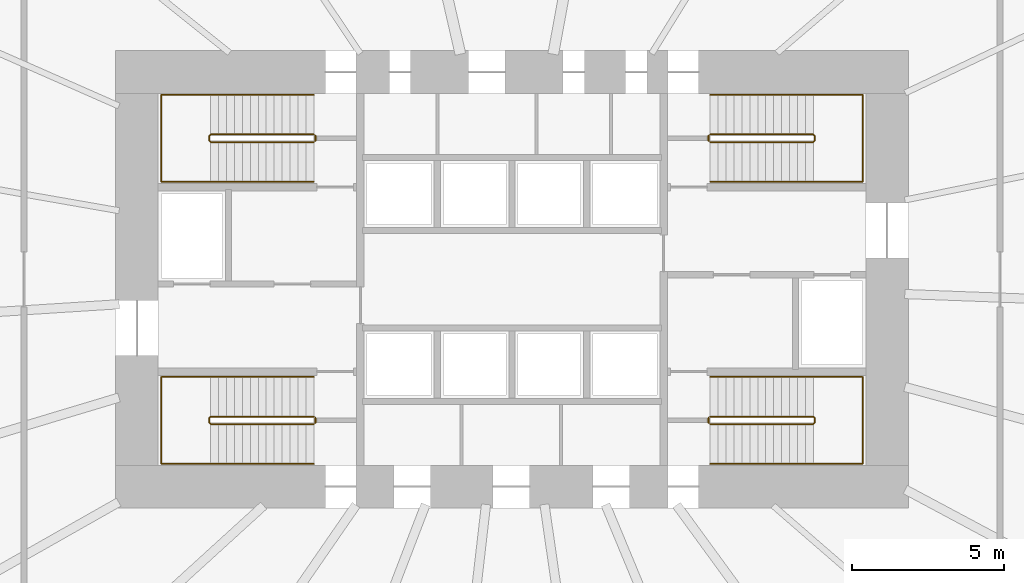
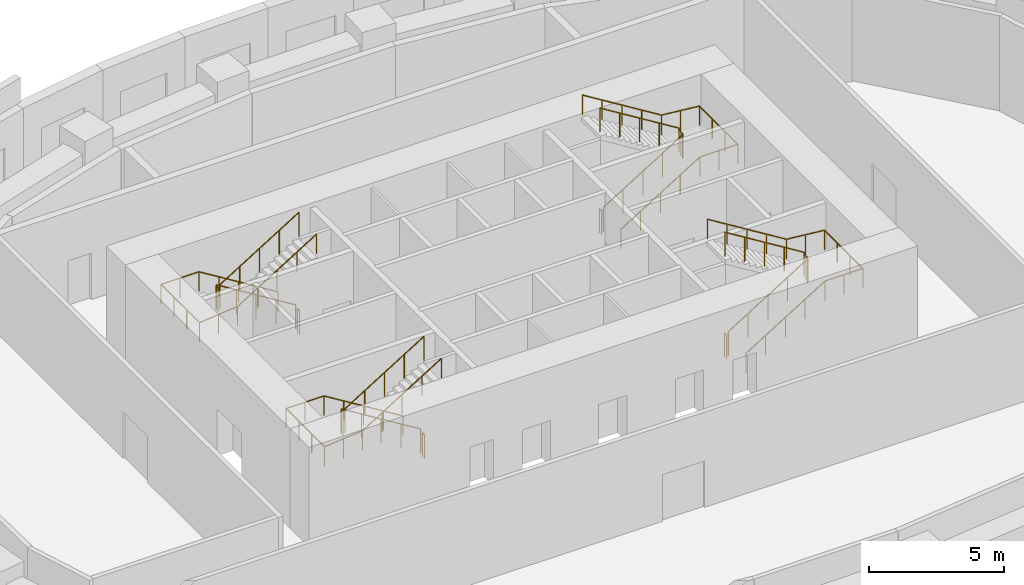
# One storey, part 9 of 9: 12 railings.
"""IFC4 building model written with IfcOpenShell, lengths in metres."""

from ifc_helpers import new_model, si_unit, direction, frame, origin, origin_2d, place, context, subcontext, project, spatial, circle, extrude, material, type_object, element, save


model = new_model("IFC4")

# Units and contexts
model_context = context("Model", 3, precision=1e-05, world=origin(), true_north=direction((0.0, 1.0)))
body_context = subcontext(model_context, "Body", "Model", "MODEL_VIEW")
ifc_project = project(units=[si_unit("LENGTHUNIT", "METRE"), si_unit("AREAUNIT", "SQUARE_METRE"), si_unit("VOLUMEUNIT", "CUBIC_METRE"), si_unit("PLANEANGLEUNIT", "RADIAN"), si_unit("MASSUNIT", "GRAM", prefix="KILO")], contexts=[model_context])

# Site, building, storey
site_placement = place(None, origin())
site = spatial("IfcSite", under=ifc_project, at=site_placement, CompositionType="ELEMENT")
building_placement = place(site_placement, origin())
building = spatial("IfcBuilding", under=site, at=building_placement, Name="Rubra Terraces Tower", CompositionType="ELEMENT")
storey_placement = place(building_placement, frame((0.0, 0.0, 33.0)))
storey = spatial("IfcBuildingStorey", under=building, at=storey_placement, Name="L05", CompositionType="ELEMENT", Elevation=33.0)

# Railings
ifc_material = material(Name="Stainless steel", Category="steel")
railing_type_1 = type_object("IfcRailingType", Name="Core stair guard 1100", PredefinedType="GUARDRAIL", material=ifc_material)
railing_1_placement = place(storey_placement, frame((-6.5, 0.0, 0.16064453125)))
element("IfcRailing", 1, at=railing_1_placement, inside=storey, type_object=railing_type_1, Name="L05 stair S1 guard 1", PredefinedType="GUARDRAIL", context=body_context, shape_type="SweptSolid", body=[
    extrude(circle(Radius=0.02392578125, at=origin_2d()), frame((0.0, 0.0, 1.076171875), z_axis=(-0.8505975674, 0.0, 0.525817248036), x_axis=(0.0, -1.0, 0.0)), (0.0, 0.0, 1.0), 3.9736328125),
    extrude(circle(Radius=0.02392578125, at=origin_2d()), frame((-3.3798828125, 0.0, 3.16552734375), z_axis=(-0.707106781187, -0.707106781187, 0.0), x_axis=(0.707106781187, -0.707106781187, 0.0)), (0.0, 0.0, 1.0), 0.07080078125),
    extrude(circle(Radius=0.02392578125, at=origin_2d()), frame((-3.429931640625, -0.050048828125, 3.16552734375), z_axis=(0.0, -1.0, 0.0), x_axis=(1.0, 0.0, 0.0)), (0.0, 0.0, 1.0), 0.14990234375),
    extrude(circle(Radius=0.02392578125, at=origin_2d()), frame((-3.429931640625, -0.199951171875, 3.16552734375), z_axis=(0.285103605394, -0.285103605394, 0.91511303585), x_axis=(0.707106781187, 0.707106781187, 0.0)), (0.0, 0.0, 1.0), 0.175537109375),
    extrude(circle(Radius=0.02392578125, at=origin_2d()), frame((-3.3798828125, -0.25, 3.326171875), z_axis=(0.8505975674, 0.0, 0.525817248036), x_axis=(0.0, 1.0, 0.0)), (0.0, 0.0, 1.0), 3.9736328125),
    extrude(circle(Radius=0.02099609375, at=origin_2d()), origin(), (0.0, 0.0, 1.0), 1.052001953125),
    extrude(circle(Radius=0.02099609375, at=origin_2d()), frame((-0.844970703125, 0.0, 0.5224609375)), (0.0, 0.0, 1.0), 1.052001953125),
    extrude(circle(Radius=0.02099609375, at=origin_2d()), frame((-1.68994140625, 0.0, 1.044677734375)), (0.0, 0.0, 1.0), 1.052001953125),
    extrude(circle(Radius=0.02099609375, at=origin_2d()), frame((-2.534912109375, 0.0, 1.56689453125)), (0.0, 0.0, 1.0), 1.052001953125),
    extrude(circle(Radius=0.02099609375, at=origin_2d()), frame((-3.3798828125, 0.0, 2.08935546875)), (0.0, 0.0, 1.0), 1.052001953125),
    extrude(circle(Radius=0.02099609375, at=origin_2d()), frame((-3.429931640625, -0.050048828125, 2.08935546875)), (0.0, 0.0, 1.0), 1.052001953125),
    extrude(circle(Radius=0.02099609375, at=origin_2d()), frame((-3.429931640625, -0.199951171875, 2.08935546875)), (0.0, 0.0, 1.0), 1.052001953125),
    extrude(circle(Radius=0.02099609375, at=origin_2d()), frame((-3.3798828125, -0.25, 2.25)), (0.0, 0.0, 1.0), 1.052001953125),
    extrude(circle(Radius=0.02099609375, at=origin_2d()), frame((-2.534912109375, -0.25, 2.7724609375)), (0.0, 0.0, 1.0), 1.052001953125),
    extrude(circle(Radius=0.02099609375, at=origin_2d()), frame((-1.68994140625, -0.25, 3.294677734375)), (0.0, 0.0, 1.0), 1.052001953125),
    extrude(circle(Radius=0.02099609375, at=origin_2d()), frame((-0.844970703125, -0.25, 3.81689453125)), (0.0, 0.0, 1.0), 1.052001953125),
    extrude(circle(Radius=0.02099609375, at=origin_2d()), frame((0.0, -0.25, 4.33935546875)), (0.0, 0.0, 1.0), 1.052001953125),
])
railing_2_placement = place(storey_placement, frame((-6.449951171875, -0.050048828125, 0.0)))
element("IfcRailing", 2, at=railing_2_placement, inside=storey, type_object=railing_type_1, Name="L05 stair S1 guard 2", PredefinedType="GUARDRAIL", context=body_context, shape_type="SweptSolid", body=[
    extrude(circle(Radius=0.02392578125, at=origin_2d()), frame((0.0, 0.0, 1.076171875), z_axis=(0.0, -1.0, 0.0), x_axis=(1.0, 0.0, 0.0)), (0.0, 0.0, 1.0), 0.14990234375),
    extrude(circle(Radius=0.02099609375, at=origin_2d()), origin(), (0.0, 0.0, 1.0), 1.052001953125),
    extrude(circle(Radius=0.02099609375, at=origin_2d()), frame((0.0, -0.14990234375, 0.0)), (0.0, 0.0, 1.0), 1.052001953125),
])
railing_3_placement = place(storey_placement, frame((-6.5, 9.25, 0.16064453125)))
element("IfcRailing", 3, at=railing_3_placement, inside=storey, type_object=railing_type_1, Name="L05 stair S2 guard 1", PredefinedType="GUARDRAIL", context=body_context, shape_type="SweptSolid", body=[
    extrude(circle(Radius=0.02392578125, at=origin_2d()), frame((0.0, 0.0, 1.076171875), z_axis=(-0.8505975674, 0.0, 0.525817248036), x_axis=(0.0, -1.0, 0.0)), (0.0, 0.0, 1.0), 3.9736328125),
    extrude(circle(Radius=0.02392578125, at=origin_2d()), frame((-3.3798828125, 0.0, 3.16552734375), z_axis=(-0.707106781187, -0.707106781187, 0.0), x_axis=(0.707106781187, -0.707106781187, 0.0)), (0.0, 0.0, 1.0), 0.07080078125),
    extrude(circle(Radius=0.02392578125, at=origin_2d()), frame((-3.429931640625, -0.050048828125, 3.16552734375), z_axis=(0.0, -1.0, 0.0), x_axis=(1.0, 0.0, 0.0)), (0.0, 0.0, 1.0), 0.14990234375),
    extrude(circle(Radius=0.02392578125, at=origin_2d()), frame((-3.429931640625, -0.199951171875, 3.16552734375), z_axis=(0.285103605394, -0.285103605394, 0.91511303585), x_axis=(0.707106781187, 0.707106781187, 0.0)), (0.0, 0.0, 1.0), 0.175537109375),
    extrude(circle(Radius=0.02392578125, at=origin_2d()), frame((-3.3798828125, -0.25, 3.326171875), z_axis=(0.8505975674, 0.0, 0.525817248036), x_axis=(0.0, 1.0, 0.0)), (0.0, 0.0, 1.0), 3.9736328125),
    extrude(circle(Radius=0.02099609375, at=origin_2d()), origin(), (0.0, 0.0, 1.0), 1.052001953125),
    extrude(circle(Radius=0.02099609375, at=origin_2d()), frame((-0.844970703125, 0.0, 0.5224609375)), (0.0, 0.0, 1.0), 1.052001953125),
    extrude(circle(Radius=0.02099609375, at=origin_2d()), frame((-1.68994140625, 0.0, 1.044677734375)), (0.0, 0.0, 1.0), 1.052001953125),
    extrude(circle(Radius=0.02099609375, at=origin_2d()), frame((-2.534912109375, 0.0, 1.56689453125)), (0.0, 0.0, 1.0), 1.052001953125),
    extrude(circle(Radius=0.02099609375, at=origin_2d()), frame((-3.3798828125, 0.0, 2.08935546875)), (0.0, 0.0, 1.0), 1.052001953125),
    extrude(circle(Radius=0.02099609375, at=origin_2d()), frame((-3.429931640625, -0.050048828125, 2.08935546875)), (0.0, 0.0, 1.0), 1.052001953125),
    extrude(circle(Radius=0.02099609375, at=origin_2d()), frame((-3.429931640625, -0.199951171875, 2.08935546875)), (0.0, 0.0, 1.0), 1.052001953125),
    extrude(circle(Radius=0.02099609375, at=origin_2d()), frame((-3.3798828125, -0.25, 2.25)), (0.0, 0.0, 1.0), 1.052001953125),
    extrude(circle(Radius=0.02099609375, at=origin_2d()), frame((-2.534912109375, -0.25, 2.7724609375)), (0.0, 0.0, 1.0), 1.052001953125),
    extrude(circle(Radius=0.02099609375, at=origin_2d()), frame((-1.68994140625, -0.25, 3.294677734375)), (0.0, 0.0, 1.0), 1.052001953125),
    extrude(circle(Radius=0.02099609375, at=origin_2d()), frame((-0.844970703125, -0.25, 3.81689453125)), (0.0, 0.0, 1.0), 1.052001953125),
    extrude(circle(Radius=0.02099609375, at=origin_2d()), frame((0.0, -0.25, 4.33935546875)), (0.0, 0.0, 1.0), 1.052001953125),
])
railing_4_placement = place(storey_placement, frame((-6.449951171875, 9.199951171875, 0.0)))
element("IfcRailing", 4, at=railing_4_placement, inside=storey, type_object=railing_type_1, Name="L05 stair S2 guard 2", PredefinedType="GUARDRAIL", context=body_context, shape_type="SweptSolid", body=[
    extrude(circle(Radius=0.02392578125, at=origin_2d()), frame((0.0, 0.0, 1.076171875), z_axis=(0.0, -1.0, 0.0), x_axis=(1.0, 0.0, 0.0)), (0.0, 0.0, 1.0), 0.14990234375),
    extrude(circle(Radius=0.02099609375, at=origin_2d()), origin(), (0.0, 0.0, 1.0), 1.052001953125),
    extrude(circle(Radius=0.02099609375, at=origin_2d()), frame((0.0, -0.14990234375, 0.0)), (0.0, 0.0, 1.0), 1.052001953125),
])
railing_5_placement = place(storey_placement, frame((6.5, 9.0, 0.16064453125)))
element("IfcRailing", 5, at=railing_5_placement, inside=storey, type_object=railing_type_1, Name="L05 stair S3 guard 1", PredefinedType="GUARDRAIL", context=body_context, shape_type="SweptSolid", body=[
    extrude(circle(Radius=0.02392578125, at=origin_2d()), frame((0.0, 0.0, 1.076171875), z_axis=(0.8505975674, 0.0, 0.525817248036), x_axis=(0.0, 1.0, 0.0)), (0.0, 0.0, 1.0), 3.9736328125),
    extrude(circle(Radius=0.02392578125, at=origin_2d()), frame((3.3798828125, 0.0, 3.16552734375), z_axis=(0.707106781187, 0.707106781187, 0.0), x_axis=(-0.707106781187, 0.707106781187, 0.0)), (0.0, 0.0, 1.0), 0.07080078125),
    extrude(circle(Radius=0.02392578125, at=origin_2d()), frame((3.429931640625, 0.050048828125, 3.16552734375), z_axis=(0.0, 1.0, 0.0), x_axis=(-1.0, 0.0, 0.0)), (0.0, 0.0, 1.0), 0.14990234375),
    extrude(circle(Radius=0.02392578125, at=origin_2d()), frame((3.429931640625, 0.199951171875, 3.16552734375), z_axis=(-0.285103605394, 0.285103605394, 0.91511303585), x_axis=(-0.707106781187, -0.707106781187, 0.0)), (0.0, 0.0, 1.0), 0.175537109375),
    extrude(circle(Radius=0.02392578125, at=origin_2d()), frame((3.3798828125, 0.25, 3.326171875), z_axis=(-0.8505975674, 0.0, 0.525817248036), x_axis=(0.0, -1.0, 0.0)), (0.0, 0.0, 1.0), 3.9736328125),
    extrude(circle(Radius=0.02099609375, at=origin_2d()), origin(), (0.0, 0.0, 1.0), 1.052001953125),
    extrude(circle(Radius=0.02099609375, at=origin_2d()), frame((0.844970703125, 0.0, 0.5224609375)), (0.0, 0.0, 1.0), 1.052001953125),
    extrude(circle(Radius=0.02099609375, at=origin_2d()), frame((1.68994140625, 0.0, 1.044677734375)), (0.0, 0.0, 1.0), 1.052001953125),
    extrude(circle(Radius=0.02099609375, at=origin_2d()), frame((2.534912109375, 0.0, 1.56689453125)), (0.0, 0.0, 1.0), 1.052001953125),
    extrude(circle(Radius=0.02099609375, at=origin_2d()), frame((3.3798828125, 0.0, 2.08935546875)), (0.0, 0.0, 1.0), 1.052001953125),
    extrude(circle(Radius=0.02099609375, at=origin_2d()), frame((3.429931640625, 0.050048828125, 2.08935546875)), (0.0, 0.0, 1.0), 1.052001953125),
    extrude(circle(Radius=0.02099609375, at=origin_2d()), frame((3.429931640625, 0.199951171875, 2.08935546875)), (0.0, 0.0, 1.0), 1.052001953125),
    extrude(circle(Radius=0.02099609375, at=origin_2d()), frame((3.3798828125, 0.25, 2.25)), (0.0, 0.0, 1.0), 1.052001953125),
    extrude(circle(Radius=0.02099609375, at=origin_2d()), frame((2.534912109375, 0.25, 2.7724609375)), (0.0, 0.0, 1.0), 1.052001953125),
    extrude(circle(Radius=0.02099609375, at=origin_2d()), frame((1.68994140625, 0.25, 3.294677734375)), (0.0, 0.0, 1.0), 1.052001953125),
    extrude(circle(Radius=0.02099609375, at=origin_2d()), frame((0.844970703125, 0.25, 3.81689453125)), (0.0, 0.0, 1.0), 1.052001953125),
    extrude(circle(Radius=0.02099609375, at=origin_2d()), frame((0.0, 0.25, 4.33935546875)), (0.0, 0.0, 1.0), 1.052001953125),
])
railing_6_placement = place(storey_placement, frame((6.449951171875, 9.050048828125, 0.0)))
element("IfcRailing", 6, at=railing_6_placement, inside=storey, type_object=railing_type_1, Name="L05 stair S3 guard 2", PredefinedType="GUARDRAIL", context=body_context, shape_type="SweptSolid", body=[
    extrude(circle(Radius=0.02392578125, at=origin_2d()), frame((0.0, 0.0, 1.076171875), z_axis=(0.0, 1.0, 0.0), x_axis=(-1.0, 0.0, 0.0)), (0.0, 0.0, 1.0), 0.14990234375),
    extrude(circle(Radius=0.02099609375, at=origin_2d()), origin(), (0.0, 0.0, 1.0), 1.052001953125),
    extrude(circle(Radius=0.02099609375, at=origin_2d()), frame((0.0, 0.14990234375, 0.0)), (0.0, 0.0, 1.0), 1.052001953125),
])
railing_7_placement = place(storey_placement, frame((6.5, -0.25, 0.16064453125)))
element("IfcRailing", 7, at=railing_7_placement, inside=storey, type_object=railing_type_1, Name="L05 stair S4 guard 1", PredefinedType="GUARDRAIL", context=body_context, shape_type="SweptSolid", body=[
    extrude(circle(Radius=0.02392578125, at=origin_2d()), frame((0.0, 0.0, 1.076171875), z_axis=(0.8505975674, 0.0, 0.525817248036), x_axis=(0.0, 1.0, 0.0)), (0.0, 0.0, 1.0), 3.9736328125),
    extrude(circle(Radius=0.02392578125, at=origin_2d()), frame((3.3798828125, 0.0, 3.16552734375), z_axis=(0.707106781187, 0.707106781187, 0.0), x_axis=(-0.707106781187, 0.707106781187, 0.0)), (0.0, 0.0, 1.0), 0.07080078125),
    extrude(circle(Radius=0.02392578125, at=origin_2d()), frame((3.429931640625, 0.050048828125, 3.16552734375), z_axis=(0.0, 1.0, 0.0), x_axis=(-1.0, 0.0, 0.0)), (0.0, 0.0, 1.0), 0.14990234375),
    extrude(circle(Radius=0.02392578125, at=origin_2d()), frame((3.429931640625, 0.199951171875, 3.16552734375), z_axis=(-0.285103605394, 0.285103605394, 0.91511303585), x_axis=(-0.707106781187, -0.707106781187, 0.0)), (0.0, 0.0, 1.0), 0.175537109375),
    extrude(circle(Radius=0.02392578125, at=origin_2d()), frame((3.3798828125, 0.25, 3.326171875), z_axis=(-0.8505975674, 0.0, 0.525817248036), x_axis=(0.0, -1.0, 0.0)), (0.0, 0.0, 1.0), 3.9736328125),
    extrude(circle(Radius=0.02099609375, at=origin_2d()), origin(), (0.0, 0.0, 1.0), 1.052001953125),
    extrude(circle(Radius=0.02099609375, at=origin_2d()), frame((0.844970703125, 0.0, 0.5224609375)), (0.0, 0.0, 1.0), 1.052001953125),
    extrude(circle(Radius=0.02099609375, at=origin_2d()), frame((1.68994140625, 0.0, 1.044677734375)), (0.0, 0.0, 1.0), 1.052001953125),
    extrude(circle(Radius=0.02099609375, at=origin_2d()), frame((2.534912109375, 0.0, 1.56689453125)), (0.0, 0.0, 1.0), 1.052001953125),
    extrude(circle(Radius=0.02099609375, at=origin_2d()), frame((3.3798828125, 0.0, 2.08935546875)), (0.0, 0.0, 1.0), 1.052001953125),
    extrude(circle(Radius=0.02099609375, at=origin_2d()), frame((3.429931640625, 0.050048828125, 2.08935546875)), (0.0, 0.0, 1.0), 1.052001953125),
    extrude(circle(Radius=0.02099609375, at=origin_2d()), frame((3.429931640625, 0.199951171875, 2.08935546875)), (0.0, 0.0, 1.0), 1.052001953125),
    extrude(circle(Radius=0.02099609375, at=origin_2d()), frame((3.3798828125, 0.25, 2.25)), (0.0, 0.0, 1.0), 1.052001953125),
    extrude(circle(Radius=0.02099609375, at=origin_2d()), frame((2.534912109375, 0.25, 2.7724609375)), (0.0, 0.0, 1.0), 1.052001953125),
    extrude(circle(Radius=0.02099609375, at=origin_2d()), frame((1.68994140625, 0.25, 3.294677734375)), (0.0, 0.0, 1.0), 1.052001953125),
    extrude(circle(Radius=0.02099609375, at=origin_2d()), frame((0.844970703125, 0.25, 3.81689453125)), (0.0, 0.0, 1.0), 1.052001953125),
    extrude(circle(Radius=0.02099609375, at=origin_2d()), frame((0.0, 0.25, 4.33935546875)), (0.0, 0.0, 1.0), 1.052001953125),
])
railing_8_placement = place(storey_placement, frame((6.449951171875, -0.199951171875, 0.0)))
element("IfcRailing", 8, at=railing_8_placement, inside=storey, type_object=railing_type_1, Name="L05 stair S4 guard 2", PredefinedType="GUARDRAIL", context=body_context, shape_type="SweptSolid", body=[
    extrude(circle(Radius=0.02392578125, at=origin_2d()), frame((0.0, 0.0, 1.076171875), z_axis=(0.0, 1.0, 0.0), x_axis=(-1.0, 0.0, 0.0)), (0.0, 0.0, 1.0), 0.14990234375),
    extrude(circle(Radius=0.02099609375, at=origin_2d()), origin(), (0.0, 0.0, 1.0), 1.052001953125),
    extrude(circle(Radius=0.02099609375, at=origin_2d()), frame((0.0, 0.14990234375, 0.0)), (0.0, 0.0, 1.0), 1.052001953125),
])
railing_type_2 = type_object("IfcRailingType", Name="Core stair handrail 900", PredefinedType="HANDRAIL", material=ifc_material)
railing_9_placement = place(storey_placement, frame((-6.5, 1.300048828125, 0.16064453125)))
element("IfcRailing", 9, at=railing_9_placement, inside=storey, type_object=railing_type_2, Name="L05 stair S1 handrail 1", PredefinedType="HANDRAIL", context=body_context, shape_type="SweptSolid", body=[
    extrude(circle(Radius=0.02392578125, at=origin_2d()), frame((0.0, 0.0, 0.8759765625), z_axis=(-0.8505975674, 0.0, 0.525817248036), x_axis=(0.0, -1.0, 0.0)), (0.0, 0.0, 1.0), 3.9736328125),
    extrude(circle(Radius=0.02392578125, at=origin_2d()), frame((-3.3798828125, 0.0, 2.96533203125), z_axis=(-1.0, 0.0, 0.0), x_axis=(0.0, -1.0, 0.0)), (0.0, 0.0, 1.0), 1.6201171875),
    extrude(circle(Radius=0.02392578125, at=origin_2d()), frame((-5.0, 0.0, 2.96533203125), z_axis=(0.0, -1.0, 0.0), x_axis=(1.0, 0.0, 0.0)), (0.0, 0.0, 1.0), 2.85009765625),
    extrude(circle(Radius=0.02392578125, at=origin_2d()), frame((-5.0, -2.85009765625, 2.96533203125), z_axis=(0.995119987753, 0.0, 0.098672235073), x_axis=(0.0, 1.0, 0.0)), (0.0, 0.0, 1.0), 1.628173828125),
    extrude(circle(Radius=0.02392578125, at=origin_2d()), frame((-3.3798828125, -2.85009765625, 3.1259765625), z_axis=(0.8505975674, 0.0, 0.525817248036), x_axis=(0.0, 1.0, 0.0)), (0.0, 0.0, 1.0), 3.9736328125),
    extrude(circle(Radius=0.02099609375, at=origin_2d()), origin(), (0.0, 0.0, 1.0), 0.851806640625),
    extrude(circle(Radius=0.02099609375, at=origin_2d()), frame((-0.844970703125, 0.0, 0.5224609375)), (0.0, 0.0, 1.0), 0.851806640625),
    extrude(circle(Radius=0.02099609375, at=origin_2d()), frame((-1.68994140625, 0.0, 1.044677734375)), (0.0, 0.0, 1.0), 0.851806640625),
    extrude(circle(Radius=0.02099609375, at=origin_2d()), frame((-2.534912109375, 0.0, 1.56689453125)), (0.0, 0.0, 1.0), 0.851806640625),
    extrude(circle(Radius=0.02099609375, at=origin_2d()), frame((-3.3798828125, 0.0, 2.08935546875)), (0.0, 0.0, 1.0), 0.851806640625),
    extrude(circle(Radius=0.02099609375, at=origin_2d()), frame((-4.18994140625, 0.0, 2.08935546875)), (0.0, 0.0, 1.0), 0.851806640625),
    extrude(circle(Radius=0.02099609375, at=origin_2d()), frame((-5.0, 0.0, 2.08935546875)), (0.0, 0.0, 1.0), 0.851806640625),
    extrude(circle(Radius=0.02099609375, at=origin_2d()), frame((-5.0, -0.949951171875, 2.08935546875)), (0.0, 0.0, 1.0), 0.851806640625),
    extrude(circle(Radius=0.02099609375, at=origin_2d()), frame((-5.0, -1.900146484375, 2.08935546875)), (0.0, 0.0, 1.0), 0.851806640625),
    extrude(circle(Radius=0.02099609375, at=origin_2d()), frame((-5.0, -2.85009765625, 2.08935546875)), (0.0, 0.0, 1.0), 0.851806640625),
    extrude(circle(Radius=0.02099609375, at=origin_2d()), frame((-4.18994140625, -2.85009765625, 2.169677734375)), (0.0, 0.0, 1.0), 0.851806640625),
    extrude(circle(Radius=0.02099609375, at=origin_2d()), frame((-3.3798828125, -2.85009765625, 2.25)), (0.0, 0.0, 1.0), 0.851806640625),
    extrude(circle(Radius=0.02099609375, at=origin_2d()), frame((-2.534912109375, -2.85009765625, 2.7724609375)), (0.0, 0.0, 1.0), 0.851806640625),
    extrude(circle(Radius=0.02099609375, at=origin_2d()), frame((-1.68994140625, -2.85009765625, 3.294677734375)), (0.0, 0.0, 1.0), 0.851806640625),
    extrude(circle(Radius=0.02099609375, at=origin_2d()), frame((-0.844970703125, -2.85009765625, 3.81689453125)), (0.0, 0.0, 1.0), 0.851806640625),
    extrude(circle(Radius=0.02099609375, at=origin_2d()), frame((0.0, -2.85009765625, 4.33935546875)), (0.0, 0.0, 1.0), 0.851806640625),
])
railing_10_placement = place(storey_placement, frame((-6.5, 10.550048828125, 0.16064453125)))
element("IfcRailing", 10, at=railing_10_placement, inside=storey, type_object=railing_type_2, Name="L05 stair S2 handrail 1", PredefinedType="HANDRAIL", context=body_context, shape_type="SweptSolid", body=[
    extrude(circle(Radius=0.02392578125, at=origin_2d()), frame((0.0, 0.0, 0.8759765625), z_axis=(-0.8505975674, 0.0, 0.525817248036), x_axis=(0.0, -1.0, 0.0)), (0.0, 0.0, 1.0), 3.9736328125),
    extrude(circle(Radius=0.02392578125, at=origin_2d()), frame((-3.3798828125, 0.0, 2.96533203125), z_axis=(-1.0, 0.0, 0.0), x_axis=(0.0, -1.0, 0.0)), (0.0, 0.0, 1.0), 1.6201171875),
    extrude(circle(Radius=0.02392578125, at=origin_2d()), frame((-5.0, 0.0, 2.96533203125), z_axis=(0.0, -1.0, 0.0), x_axis=(1.0, 0.0, 0.0)), (0.0, 0.0, 1.0), 2.85009765625),
    extrude(circle(Radius=0.02392578125, at=origin_2d()), frame((-5.0, -2.85009765625, 2.96533203125), z_axis=(0.995119987753, 0.0, 0.098672235073), x_axis=(0.0, 1.0, 0.0)), (0.0, 0.0, 1.0), 1.628173828125),
    extrude(circle(Radius=0.02392578125, at=origin_2d()), frame((-3.3798828125, -2.85009765625, 3.1259765625), z_axis=(0.8505975674, 0.0, 0.525817248036), x_axis=(0.0, 1.0, 0.0)), (0.0, 0.0, 1.0), 3.9736328125),
    extrude(circle(Radius=0.02099609375, at=origin_2d()), origin(), (0.0, 0.0, 1.0), 0.851806640625),
    extrude(circle(Radius=0.02099609375, at=origin_2d()), frame((-0.844970703125, 0.0, 0.5224609375)), (0.0, 0.0, 1.0), 0.851806640625),
    extrude(circle(Radius=0.02099609375, at=origin_2d()), frame((-1.68994140625, 0.0, 1.044677734375)), (0.0, 0.0, 1.0), 0.851806640625),
    extrude(circle(Radius=0.02099609375, at=origin_2d()), frame((-2.534912109375, 0.0, 1.56689453125)), (0.0, 0.0, 1.0), 0.851806640625),
    extrude(circle(Radius=0.02099609375, at=origin_2d()), frame((-3.3798828125, 0.0, 2.08935546875)), (0.0, 0.0, 1.0), 0.851806640625),
    extrude(circle(Radius=0.02099609375, at=origin_2d()), frame((-4.18994140625, 0.0, 2.08935546875)), (0.0, 0.0, 1.0), 0.851806640625),
    extrude(circle(Radius=0.02099609375, at=origin_2d()), frame((-5.0, 0.0, 2.08935546875)), (0.0, 0.0, 1.0), 0.851806640625),
    extrude(circle(Radius=0.02099609375, at=origin_2d()), frame((-5.0, -0.949951171875, 2.08935546875)), (0.0, 0.0, 1.0), 0.851806640625),
    extrude(circle(Radius=0.02099609375, at=origin_2d()), frame((-5.0, -1.900146484375, 2.08935546875)), (0.0, 0.0, 1.0), 0.851806640625),
    extrude(circle(Radius=0.02099609375, at=origin_2d()), frame((-5.0, -2.85009765625, 2.08935546875)), (0.0, 0.0, 1.0), 0.851806640625),
    extrude(circle(Radius=0.02099609375, at=origin_2d()), frame((-4.18994140625, -2.85009765625, 2.169677734375)), (0.0, 0.0, 1.0), 0.851806640625),
    extrude(circle(Radius=0.02099609375, at=origin_2d()), frame((-3.3798828125, -2.85009765625, 2.25)), (0.0, 0.0, 1.0), 0.851806640625),
    extrude(circle(Radius=0.02099609375, at=origin_2d()), frame((-2.534912109375, -2.85009765625, 2.7724609375)), (0.0, 0.0, 1.0), 0.851806640625),
    extrude(circle(Radius=0.02099609375, at=origin_2d()), frame((-1.68994140625, -2.85009765625, 3.294677734375)), (0.0, 0.0, 1.0), 0.851806640625),
    extrude(circle(Radius=0.02099609375, at=origin_2d()), frame((-0.844970703125, -2.85009765625, 3.81689453125)), (0.0, 0.0, 1.0), 0.851806640625),
    extrude(circle(Radius=0.02099609375, at=origin_2d()), frame((0.0, -2.85009765625, 4.33935546875)), (0.0, 0.0, 1.0), 0.851806640625),
])
railing_11_placement = place(storey_placement, frame((6.5, 7.699951171875, 0.16064453125)))
element("IfcRailing", 11, at=railing_11_placement, inside=storey, type_object=railing_type_2, Name="L05 stair S3 handrail 1", PredefinedType="HANDRAIL", context=body_context, shape_type="SweptSolid", body=[
    extrude(circle(Radius=0.02392578125, at=origin_2d()), frame((0.0, 0.0, 0.8759765625), z_axis=(0.8505975674, 0.0, 0.525817248036), x_axis=(0.0, 1.0, 0.0)), (0.0, 0.0, 1.0), 3.9736328125),
    extrude(circle(Radius=0.02392578125, at=origin_2d()), frame((3.3798828125, 0.0, 2.96533203125), z_axis=(1.0, 0.0, 0.0), x_axis=(0.0, 1.0, 0.0)), (0.0, 0.0, 1.0), 1.6201171875),
    extrude(circle(Radius=0.02392578125, at=origin_2d()), frame((5.0, 0.0, 2.96533203125), z_axis=(0.0, 1.0, 0.0), x_axis=(-1.0, 0.0, 0.0)), (0.0, 0.0, 1.0), 2.85009765625),
    extrude(circle(Radius=0.02392578125, at=origin_2d()), frame((5.0, 2.85009765625, 2.96533203125), z_axis=(-0.995119987753, 0.0, 0.098672235073), x_axis=(0.0, -1.0, 0.0)), (0.0, 0.0, 1.0), 1.628173828125),
    extrude(circle(Radius=0.02392578125, at=origin_2d()), frame((3.3798828125, 2.85009765625, 3.1259765625), z_axis=(-0.8505975674, 0.0, 0.525817248036), x_axis=(0.0, -1.0, 0.0)), (0.0, 0.0, 1.0), 3.9736328125),
    extrude(circle(Radius=0.02099609375, at=origin_2d()), origin(), (0.0, 0.0, 1.0), 0.851806640625),
    extrude(circle(Radius=0.02099609375, at=origin_2d()), frame((0.844970703125, 0.0, 0.5224609375)), (0.0, 0.0, 1.0), 0.851806640625),
    extrude(circle(Radius=0.02099609375, at=origin_2d()), frame((1.68994140625, 0.0, 1.044677734375)), (0.0, 0.0, 1.0), 0.851806640625),
    extrude(circle(Radius=0.02099609375, at=origin_2d()), frame((2.534912109375, 0.0, 1.56689453125)), (0.0, 0.0, 1.0), 0.851806640625),
    extrude(circle(Radius=0.02099609375, at=origin_2d()), frame((3.3798828125, 0.0, 2.08935546875)), (0.0, 0.0, 1.0), 0.851806640625),
    extrude(circle(Radius=0.02099609375, at=origin_2d()), frame((4.18994140625, 0.0, 2.08935546875)), (0.0, 0.0, 1.0), 0.851806640625),
    extrude(circle(Radius=0.02099609375, at=origin_2d()), frame((5.0, 0.0, 2.08935546875)), (0.0, 0.0, 1.0), 0.851806640625),
    extrude(circle(Radius=0.02099609375, at=origin_2d()), frame((5.0, 0.949951171875, 2.08935546875)), (0.0, 0.0, 1.0), 0.851806640625),
    extrude(circle(Radius=0.02099609375, at=origin_2d()), frame((5.0, 1.900146484375, 2.08935546875)), (0.0, 0.0, 1.0), 0.851806640625),
    extrude(circle(Radius=0.02099609375, at=origin_2d()), frame((5.0, 2.85009765625, 2.08935546875)), (0.0, 0.0, 1.0), 0.851806640625),
    extrude(circle(Radius=0.02099609375, at=origin_2d()), frame((4.18994140625, 2.85009765625, 2.169677734375)), (0.0, 0.0, 1.0), 0.851806640625),
    extrude(circle(Radius=0.02099609375, at=origin_2d()), frame((3.3798828125, 2.85009765625, 2.25)), (0.0, 0.0, 1.0), 0.851806640625),
    extrude(circle(Radius=0.02099609375, at=origin_2d()), frame((2.534912109375, 2.85009765625, 2.7724609375)), (0.0, 0.0, 1.0), 0.851806640625),
    extrude(circle(Radius=0.02099609375, at=origin_2d()), frame((1.68994140625, 2.85009765625, 3.294677734375)), (0.0, 0.0, 1.0), 0.851806640625),
    extrude(circle(Radius=0.02099609375, at=origin_2d()), frame((0.844970703125, 2.85009765625, 3.81689453125)), (0.0, 0.0, 1.0), 0.851806640625),
    extrude(circle(Radius=0.02099609375, at=origin_2d()), frame((0.0, 2.85009765625, 4.33935546875)), (0.0, 0.0, 1.0), 0.851806640625),
])
railing_12_placement = place(storey_placement, frame((6.5, -1.550048828125, 0.16064453125)))
element("IfcRailing", 12, at=railing_12_placement, inside=storey, type_object=railing_type_2, Name="L05 stair S4 handrail 1", PredefinedType="HANDRAIL", context=body_context, shape_type="SweptSolid", body=[
    extrude(circle(Radius=0.02392578125, at=origin_2d()), frame((0.0, 0.0, 0.8759765625), z_axis=(0.8505975674, 0.0, 0.525817248036), x_axis=(0.0, 1.0, 0.0)), (0.0, 0.0, 1.0), 3.9736328125),
    extrude(circle(Radius=0.02392578125, at=origin_2d()), frame((3.3798828125, 0.0, 2.96533203125), z_axis=(1.0, 0.0, 0.0), x_axis=(0.0, 1.0, 0.0)), (0.0, 0.0, 1.0), 1.6201171875),
    extrude(circle(Radius=0.02392578125, at=origin_2d()), frame((5.0, 0.0, 2.96533203125), z_axis=(0.0, 1.0, 0.0), x_axis=(-1.0, 0.0, 0.0)), (0.0, 0.0, 1.0), 2.85009765625),
    extrude(circle(Radius=0.02392578125, at=origin_2d()), frame((5.0, 2.85009765625, 2.96533203125), z_axis=(-0.995119987753, 0.0, 0.098672235073), x_axis=(0.0, -1.0, 0.0)), (0.0, 0.0, 1.0), 1.628173828125),
    extrude(circle(Radius=0.02392578125, at=origin_2d()), frame((3.3798828125, 2.85009765625, 3.1259765625), z_axis=(-0.8505975674, 0.0, 0.525817248036), x_axis=(0.0, -1.0, 0.0)), (0.0, 0.0, 1.0), 3.9736328125),
    extrude(circle(Radius=0.02099609375, at=origin_2d()), origin(), (0.0, 0.0, 1.0), 0.851806640625),
    extrude(circle(Radius=0.02099609375, at=origin_2d()), frame((0.844970703125, 0.0, 0.5224609375)), (0.0, 0.0, 1.0), 0.851806640625),
    extrude(circle(Radius=0.02099609375, at=origin_2d()), frame((1.68994140625, 0.0, 1.044677734375)), (0.0, 0.0, 1.0), 0.851806640625),
    extrude(circle(Radius=0.02099609375, at=origin_2d()), frame((2.534912109375, 0.0, 1.56689453125)), (0.0, 0.0, 1.0), 0.851806640625),
    extrude(circle(Radius=0.02099609375, at=origin_2d()), frame((3.3798828125, 0.0, 2.08935546875)), (0.0, 0.0, 1.0), 0.851806640625),
    extrude(circle(Radius=0.02099609375, at=origin_2d()), frame((4.18994140625, 0.0, 2.08935546875)), (0.0, 0.0, 1.0), 0.851806640625),
    extrude(circle(Radius=0.02099609375, at=origin_2d()), frame((5.0, 0.0, 2.08935546875)), (0.0, 0.0, 1.0), 0.851806640625),
    extrude(circle(Radius=0.02099609375, at=origin_2d()), frame((5.0, 0.949951171875, 2.08935546875)), (0.0, 0.0, 1.0), 0.851806640625),
    extrude(circle(Radius=0.02099609375, at=origin_2d()), frame((5.0, 1.900146484375, 2.08935546875)), (0.0, 0.0, 1.0), 0.851806640625),
    extrude(circle(Radius=0.02099609375, at=origin_2d()), frame((5.0, 2.85009765625, 2.08935546875)), (0.0, 0.0, 1.0), 0.851806640625),
    extrude(circle(Radius=0.02099609375, at=origin_2d()), frame((4.18994140625, 2.85009765625, 2.169677734375)), (0.0, 0.0, 1.0), 0.851806640625),
    extrude(circle(Radius=0.02099609375, at=origin_2d()), frame((3.3798828125, 2.85009765625, 2.25)), (0.0, 0.0, 1.0), 0.851806640625),
    extrude(circle(Radius=0.02099609375, at=origin_2d()), frame((2.534912109375, 2.85009765625, 2.7724609375)), (0.0, 0.0, 1.0), 0.851806640625),
    extrude(circle(Radius=0.02099609375, at=origin_2d()), frame((1.68994140625, 2.85009765625, 3.294677734375)), (0.0, 0.0, 1.0), 0.851806640625),
    extrude(circle(Radius=0.02099609375, at=origin_2d()), frame((0.844970703125, 2.85009765625, 3.81689453125)), (0.0, 0.0, 1.0), 0.851806640625),
    extrude(circle(Radius=0.02099609375, at=origin_2d()), frame((0.0, 2.85009765625, 4.33935546875)), (0.0, 0.0, 1.0), 0.851806640625),
])

save(model, "model.ifc")
